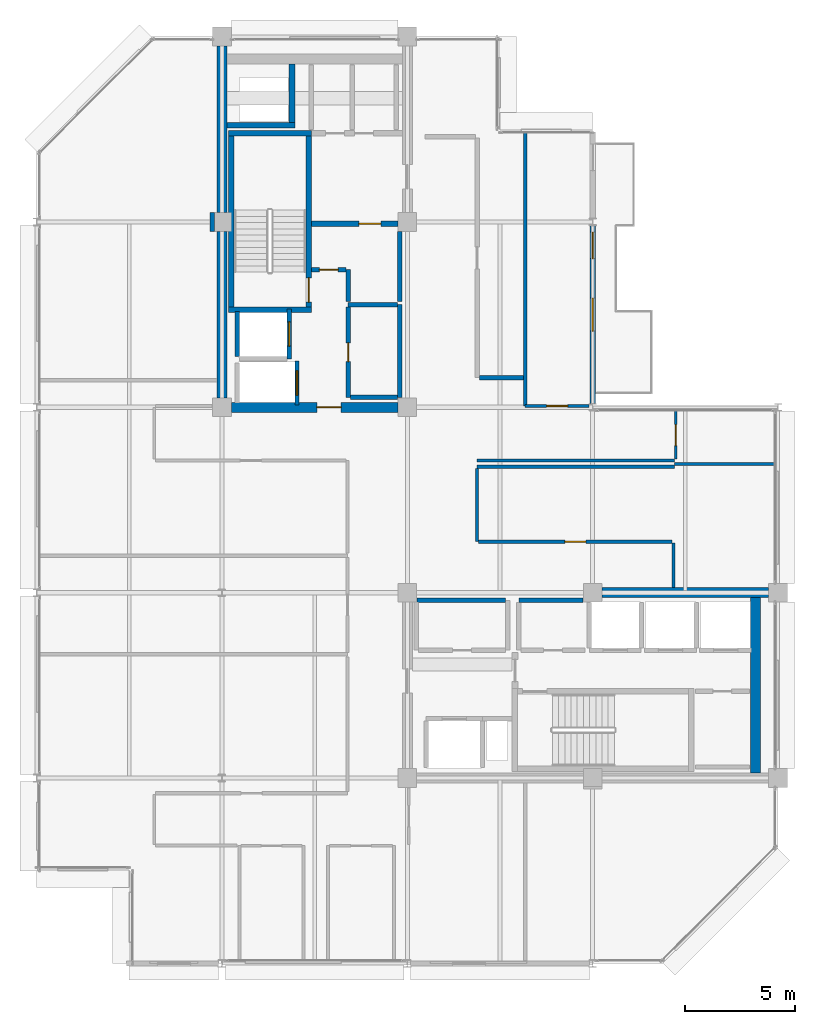
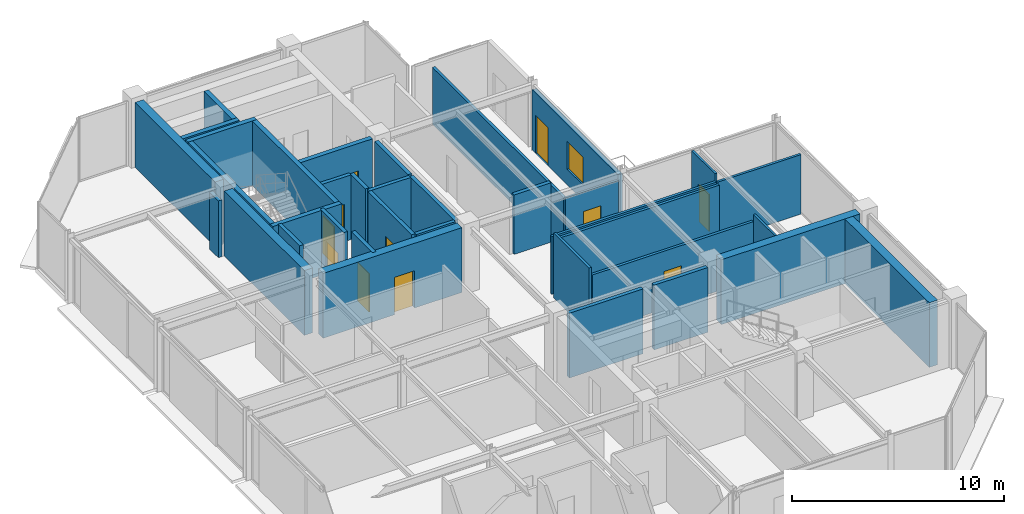
# One storey, part 21 of 25: 36 walls, 11 doors, 1 window, 12 openings.
"""IFC4 building model written with IfcOpenShell, lengths in metres."""

from ifc_helpers import new_model, si_unit, direction, frame, frame_2d, origin, place, context, subcontext, project, spatial, rectangle, extrude, material, layer, layer_set, type_object, element, fill, save


model = new_model("IFC4")

# Units and contexts
model_context = context("Model", 3, precision=1e-05, world=origin(), true_north=direction((0.0, 1.0)))
body_context = subcontext(model_context, "Body", "Model", "MODEL_VIEW")
ifc_project = project(units=[si_unit("LENGTHUNIT", "METRE"), si_unit("AREAUNIT", "SQUARE_METRE"), si_unit("VOLUMEUNIT", "CUBIC_METRE"), si_unit("PLANEANGLEUNIT", "RADIAN"), si_unit("MASSUNIT", "GRAM", prefix="KILO")], contexts=[model_context])

# Site, building, storey
site_placement = place(None, origin())
site = spatial("IfcSite", under=ifc_project, at=site_placement, CompositionType="ELEMENT")
building_placement = place(site_placement, origin())
building = spatial("IfcBuilding", under=site, at=building_placement, Name="Nerrivon Quay Data Exchange", CompositionType="ELEMENT")
storey_placement = place(building_placement, frame((0.0, 0.0, 290.199951171875)))
storey = spatial("IfcBuildingStorey", under=building, at=storey_placement, Name="L69", CompositionType="ELEMENT", Elevation=290.199951171875)

# Wall, openings, door, window
ifc_material_1 = material(Name="Architectural terracotta precast concrete N50 (50 MPa)", Category="masonry")
ifc_layer_1 = layer(ifc_material_1, 0.239990234375)
ifc_layer_set_1 = layer_set([ifc_layer_1], Name="Architectural terracotta precast concrete N50 (50 MPa)")
wall_type_1 = type_object("IfcWallType", Name="EW-PREC-240", PredefinedType="STANDARD", material=ifc_layer_set_1)
wall_1_placement = place(storey_placement, frame((25.199951171875, 33.4365234375, 0.0), z_axis=(0.0, 0.0, 1.0), x_axis=(0.0, -1.0, 0.0)))
wall_1 = element("IfcWall", 1, at=wall_1_placement, inside=storey, type_object=wall_type_1, Name="L69 Terrace Host Wall 20", PredefinedType="STANDARD", context=body_context, shape_type="SweptSolid", body=[
    extrude(rectangle(XDim=8.072998046875, YDim=0.239990234375, at=frame_2d((4.03662109375, 0.0))), origin(), (0.0, 0.0, 1.0), 3.47509765625),
])
opening_1_placement = place(wall_1_placement, frame((0.300048828125, 0.0, 0.0)))
opening_1 = element("IfcOpeningElement", 2, at=opening_1_placement, cuts=wall_1, Name="Opening TD1", PredefinedType="OPENING", context=body_context, shape_type="SweptSolid", body=[
    extrude(rectangle(XDim=1.199951171875, YDim=2.199951171875, at=frame_2d((0.60009765625, 1.10009765625))), frame((0.0, 0.1298828125, 0.0), z_axis=(0.0, -1.0, 0.0), x_axis=(1.0, 0.0, 0.0)), (0.0, 0.0, 1.0), 0.260009765625),
])
opening_2_placement = place(wall_1_placement, frame((3.28662109375, 0.0, 0.89990234375)))
opening_2 = element("IfcOpeningElement", 3, at=opening_2_placement, cuts=wall_1, Name="Opening WN4", PredefinedType="OPENING", context=body_context, shape_type="SweptSolid", body=[
    extrude(rectangle(XDim=1.5, YDim=1.60009765625, at=frame_2d((0.75, 0.800048828125))), frame((0.0, 0.1298828125, 0.0), z_axis=(0.0, -1.0, 0.0), x_axis=(1.0, 0.0, 0.0)), (0.0, 0.0, 1.0), 0.260009765625),
])
ifc_material_2 = material(Name="Double-glazed low-E solar control glass", Category="glass")
door_type_1 = type_object("IfcDoorType", Name="DR-TERR-1200x2200", OperationType="NOTDEFINED", PredefinedType="DOOR", material=ifc_material_2)
door_1_placement = place(opening_1_placement, origin())
door_1 = element("IfcDoor", 4, at=door_1_placement, inside=storey, type_object=door_type_1, Name="L69 Outdoor Terrace Access Door 20", OperationType="SINGLE_SWING_LEFT", OverallHeight=2.199951171875, OverallWidth=1.199951171875, PredefinedType="DOOR", context=body_context, shape_type="SweptSolid", body=[
    extrude(rectangle(XDim=1.199951171875, YDim=2.199951171875, at=frame_2d((0.60009765625, 1.10009765625))), frame((0.0, 0.02490234375, 0.0), z_axis=(0.0, -1.0, 0.0), x_axis=(1.0, 0.0, 0.0)), (0.0, 0.0, 1.0), 0.050048828125),
])
fill(opening_1, door_1)
window_type = type_object("IfcWindowType", Name="WIN-W4-1500x1600", PartitioningType="SINGLE_PANEL", PredefinedType="WINDOW", material=ifc_material_2)
window_placement = place(opening_2_placement, origin())
window = element("IfcWindow", 5, at=window_placement, inside=storey, type_object=window_type, Name="L69 Terrace Side Window 20", OverallHeight=1.60009765625, OverallWidth=1.5, PartitioningType="SINGLE_PANEL", PredefinedType="WINDOW", context=body_context, shape_type="SweptSolid", body=[
    extrude(rectangle(XDim=1.5, YDim=1.60009765625, at=frame_2d((0.75, 0.800048828125))), frame((0.0, 0.030029296875, 0.0), z_axis=(0.0, -1.0, 0.0), x_axis=(1.0, 0.0, 0.0)), (0.0, 0.0, 1.0), 0.06005859375),
])
fill(opening_2, window)

# Walls
ifc_material_3 = material(Name="Concrete N50 (50 MPa)", Category="concrete")
ifc_layer_2 = layer(ifc_material_3, 0.449951171875)
ifc_layer_set_2 = layer_set([ifc_layer_2], Name="Concrete N50 (50 MPa)")
wall_type_2 = type_object("IfcWallType", Name="WALL-CW-550", PredefinedType="SHEAR", material=ifc_layer_set_2)
for number, where, z_axis, x_axis, name in (
    (6, (8.39990234375, 25.625, 0.0), (0.0, 0.0, 1.0), (0.0, 1.0, 0.0), "L69 West Split-Core Shear Wall WCW-W1"),
    (7, (8.39990234375, 34.02490234375, 0.0), (0.0, 0.0, 1.0), (0.0, 1.0, 0.0), "L69 West Split-Core Shear Wall WCW-W2"),
):
    element("IfcWall", number, at=place(storey_placement, frame(where, z_axis=z_axis, x_axis=x_axis)), inside=storey, type_object=wall_type_2, Name=name, PredefinedType="SHEAR", context=body_context, shape_type="SweptSolid", body=[
        extrude(rectangle(XDim=7.550048828125, YDim=0.449951171875, at=frame_2d((3.77490234375, 0.0))), origin(), (0.0, 0.0, 1.0), 3.72509765625),
    ])

# Wall, opening, door
wall_2_placement = place(storey_placement, frame((8.824951171875, 25.199951171875, 0.0), z_axis=(0.0, 0.0, 1.0), x_axis=(1.0, 0.0, 0.0)))
wall_2 = element("IfcWall", 8, at=wall_2_placement, inside=storey, type_object=wall_type_2, Name="L69 West Split-Core Shear Wall WCW-S1", PredefinedType="SHEAR", context=body_context, shape_type="SweptSolid", body=[
    extrude(rectangle(XDim=7.550048828125, YDim=0.449951171875, at=frame_2d((3.77490234375, 0.0))), origin(), (0.0, 0.0, 1.0), 3.72509765625),
])
opening_3_placement = place(wall_2_placement, frame((3.875, 0.0, 0.0)))
opening_3 = element("IfcOpeningElement", 9, at=opening_3_placement, cuts=wall_2, Name="Opening FD-120", PredefinedType="OPENING", context=body_context, shape_type="SweptSolid", body=[
    extrude(rectangle(XDim=1.10009765625, YDim=2.14990234375, at=frame_2d((0.550048828125, 1.074951171875))), frame((0.0, 0.23486328125, 0.0), z_axis=(0.0, -1.0, 0.0), x_axis=(1.0, 0.0, 0.0)), (0.0, 0.0, 1.0), 0.469970703125),
])
ifc_material_4 = material(Name="Powder-coated galvanized steel sheet", Category="steel")
door_type_2 = type_object("IfcDoorType", Name="DR-FD120-1100", OperationType="NOTDEFINED", PredefinedType="DOOR", material=ifc_material_4)
door_2_placement = place(opening_3_placement, origin())
door_2 = element("IfcDoor", 10, at=door_2_placement, inside=storey, type_object=door_type_2, Name="L69 West Core Lobby Fire Door", OperationType="SINGLE_SWING_LEFT", OverallHeight=2.14990234375, OverallWidth=1.10009765625, PredefinedType="DOOR", context=body_context, shape_type="SweptSolid", body=[
    extrude(rectangle(XDim=1.10009765625, YDim=2.14990234375, at=frame_2d((0.550048828125, 1.074951171875))), frame((0.0, 0.02490234375, 0.0), z_axis=(0.0, -1.0, 0.0), x_axis=(1.0, 0.0, 0.0)), (0.0, 0.0, 1.0), 0.050048828125),
])
fill(opening_3, door_2)

# Walls
wall_3_placement = place(storey_placement, frame((32.574951171875, 8.625, 0.0), z_axis=(0.0, 0.0, 1.0), x_axis=(0.0, 1.0, 0.0)))
element("IfcWall", 11, at=wall_3_placement, inside=storey, type_object=wall_type_2, Name="L69 East Split-Core Shear Wall ECW-E1", PredefinedType="SHEAR", context=body_context, shape_type="SweptSolid", body=[
    extrude(rectangle(XDim=7.949951171875, YDim=0.449951171875, at=frame_2d((3.97509765625, 0.0))), origin(), (0.0, 0.0, 1.0), 3.72509765625),
])
wall_4_placement = place(storey_placement, frame((25.625, 16.800048828125, 0.0), z_axis=(0.0, 0.0, 1.0), x_axis=(1.0, 0.0, 0.0)))
element("IfcWall", 12, at=wall_4_placement, inside=storey, type_object=wall_type_2, Name="L69 East Split-Core Shear Wall ECW-N1", PredefinedType="SHEAR", context=body_context, shape_type="SweptSolid", body=[
    extrude(rectangle(XDim=7.550048828125, YDim=0.449951171875, at=frame_2d((3.77490234375, 0.0))), origin(), (0.0, 0.0, 1.0), 3.72509765625),
])

# Wall, opening, door
ifc_material_5 = material(Name="Gypsum plasterboard on cold-formed framing", Category="gypsum")
ifc_layer_3 = layer(ifc_material_5, 0.199951171875)
ifc_layer_set_3 = layer_set([ifc_layer_3], Name="Gypsum plasterboard on cold-formed framing")
wall_type_3 = type_object("IfcWallType", Name="WALL-FW-200", PredefinedType="PARTITIONING", material=ifc_layer_set_3)
wall_5_placement = place(storey_placement, frame((11.449951171875, 27.39990234375, 0.0), z_axis=(0.0, 0.0, 1.0), x_axis=(0.0, 1.0, 0.0)))
wall_5 = element("IfcWall", 13, at=wall_5_placement, inside=storey, type_object=wall_type_3, Name="L69 Lift Front Wall FFL-1", PredefinedType="PARTITIONING", context=body_context, shape_type="SweptSolid", body=[
    extrude(rectangle(XDim=2.25, YDim=0.199951171875, at=frame_2d((1.125, 0.0))), origin(), (0.0, 0.0, 1.0), 3.72509765625),
])
opening_4_placement = place(wall_5_placement, frame((0.574951171875, 0.0, 0.0)))
opening_4 = element("IfcOpeningElement", 14, at=opening_4_placement, cuts=wall_5, Name="Opening LD-120", PredefinedType="OPENING", context=body_context, shape_type="SweptSolid", body=[
    extrude(rectangle(XDim=1.10009765625, YDim=2.199951171875, at=frame_2d((0.550048828125, 1.10009765625))), frame((0.0, 0.10986328125, 0.0), z_axis=(0.0, -1.0, 0.0), x_axis=(1.0, 0.0, 0.0)), (0.0, 0.0, 1.0), 0.219970703125),
])
door_type_3 = type_object("IfcDoorType", Name="DR-LIFT-LD120", OperationType="DOUBLE_DOOR_SLIDING", PredefinedType="DOOR", material=ifc_material_4)
door_3_placement = place(opening_4_placement, origin())
door_3 = element("IfcDoor", 15, at=door_3_placement, inside=storey, type_object=door_type_3, Name="L69 Lift Landing Sliding Door FFL-1", OperationType="DOUBLE_DOOR_SLIDING", OverallHeight=2.199951171875, OverallWidth=1.10009765625, PredefinedType="DOOR", context=body_context, shape_type="SweptSolid", body=[
    extrude(rectangle(XDim=1.10009765625, YDim=2.199951171875, at=frame_2d((0.550048828125, 1.10009765625))), frame((0.0, 0.02490234375, 0.0), z_axis=(0.0, -1.0, 0.0), x_axis=(1.0, 0.0, 0.0)), (0.0, 0.0, 1.0), 0.050048828125),
])
fill(opening_4, door_3)

# Wall
wall_6_placement = place(storey_placement, frame((9.10009765625, 27.5, 0.0), z_axis=(0.0, 0.0, 1.0), x_axis=(0.0, 1.0, 0.0)))
element("IfcWall", 16, at=wall_6_placement, inside=storey, type_object=wall_type_3, Name="L69 Lift Shaft Wall FFL-1 WEST", PredefinedType="PARTITIONING", context=body_context, shape_type="SweptSolid", body=[
    extrude(rectangle(XDim=2.050048828125, YDim=0.199951171875, at=frame_2d((1.02490234375, 0.0))), origin(), (0.0, 0.0, 1.0), 3.72509765625),
])

# Wall, opening, door
wall_7_placement = place(storey_placement, frame((11.800048828125, 25.300048828125, 0.0), z_axis=(0.0, 0.0, 1.0), x_axis=(0.0, 1.0, 0.0)))
wall_7 = element("IfcWall", 17, at=wall_7_placement, inside=storey, type_object=wall_type_3, Name="L69 Lift Front Wall SVL-1", PredefinedType="PARTITIONING", context=body_context, shape_type="SweptSolid", body=[
    extrude(rectangle(XDim=2.0, YDim=0.199951171875, at=frame_2d((1.0, 0.0))), origin(), (0.0, 0.0, 1.0), 3.72509765625),
])
opening_5_placement = place(wall_7_placement, frame((0.449951171875, 0.0, 0.0)))
opening_5 = element("IfcOpeningElement", 18, at=opening_5_placement, cuts=wall_7, Name="Opening LD-120", PredefinedType="OPENING", context=body_context, shape_type="SweptSolid", body=[
    extrude(rectangle(XDim=1.10009765625, YDim=2.199951171875, at=frame_2d((0.550048828125, 1.10009765625))), frame((0.0, 0.10986328125, 0.0), z_axis=(0.0, -1.0, 0.0), x_axis=(1.0, 0.0, 0.0)), (0.0, 0.0, 1.0), 0.219970703125),
])
door_4_placement = place(opening_5_placement, origin())
door_4 = element("IfcDoor", 19, at=door_4_placement, inside=storey, type_object=door_type_3, Name="L69 Lift Landing Sliding Door SVL-1", OperationType="DOUBLE_DOOR_SLIDING", OverallHeight=2.199951171875, OverallWidth=1.10009765625, PredefinedType="DOOR", context=body_context, shape_type="SweptSolid", body=[
    extrude(rectangle(XDim=1.10009765625, YDim=2.199951171875, at=frame_2d((0.550048828125, 1.10009765625))), frame((0.0, 0.02490234375, 0.0), z_axis=(0.0, -1.0, 0.0), x_axis=(1.0, 0.0, 0.0)), (0.0, 0.0, 1.0), 0.050048828125),
])
fill(opening_5, door_4)

# Walls
wall_8_placement = place(storey_placement, frame((16.449951171875, 25.64990234375, 0.0), z_axis=(0.0, 0.0, 1.0), x_axis=(0.0, 1.0, 0.0)))
element("IfcWall", 20, at=wall_8_placement, inside=storey, type_object=wall_type_3, Name="L69 Partition Telemetry Hub Closet", PredefinedType="PARTITIONING", context=body_context, shape_type="SweptSolid", body=[
    extrude(rectangle(XDim=4.2001953125, YDim=0.199951171875, at=frame_2d((2.10009765625, 0.0))), origin(), (0.0, 0.0, 1.0), 3.72509765625),
])
wall_9_placement = place(storey_placement, frame((16.345947265625, 29.85009765625, 0.0), z_axis=(0.0, 0.0, 1.0), x_axis=(-1.0, 0.0, 0.0)))
element("IfcWall", 21, at=wall_9_placement, inside=storey, type_object=wall_type_3, Name="L69 Partition Telemetry Hub Closet", PredefinedType="PARTITIONING", context=body_context, shape_type="SweptSolid", body=[
    extrude(rectangle(XDim=2.225830078125, YDim=0.199951171875, at=frame_2d((1.11279296875, 0.0))), origin(), (0.0, 0.0, 1.0), 3.72509765625),
])

# Wall, opening, door
wall_10_placement = place(storey_placement, frame((14.1201171875, 29.74609375, 0.0), z_axis=(0.0, 0.0, 1.0), x_axis=(0.0, -1.0, 0.0)))
wall_10 = element("IfcWall", 22, at=wall_10_placement, inside=storey, type_object=wall_type_3, Name="L69 Partition Telemetry Hub Closet", PredefinedType="PARTITIONING", context=body_context, shape_type="SweptSolid", body=[
    extrude(rectangle(XDim=4.09619140625, YDim=0.199951171875, at=frame_2d((2.048095703125, 0.0))), origin(), (0.0, 0.0, 1.0), 3.72509765625),
])
opening_6_placement = place(wall_10_placement, frame((1.623046875, 0.0, 0.0)))
opening_6 = element("IfcOpeningElement", 23, at=opening_6_placement, cuts=wall_10, Name="Opening FD-60S", PredefinedType="OPENING", context=body_context, shape_type="SweptSolid", body=[
    extrude(rectangle(XDim=0.85009765625, YDim=2.14990234375, at=frame_2d((0.425048828125, 1.074951171875))), frame((0.0, 0.10986328125, 0.0), z_axis=(0.0, -1.0, 0.0), x_axis=(1.0, 0.0, 0.0)), (0.0, 0.0, 1.0), 0.219970703125),
])
ifc_material_6 = material(Name="Engineered hardwood timber", Category="wood")
door_type_4 = type_object("IfcDoorType", Name="DR-FD60-850", OperationType="NOTDEFINED", PredefinedType="DOOR", material=ifc_material_6)
door_5_placement = place(opening_6_placement, origin())
door_5 = element("IfcDoor", 24, at=door_5_placement, inside=storey, type_object=door_type_4, Name="L69 Door Telemetry Hub Closet", OperationType="SINGLE_SWING_LEFT", OverallHeight=2.14990234375, OverallWidth=0.85009765625, PredefinedType="DOOR", context=body_context, shape_type="SweptSolid", body=[
    extrude(rectangle(XDim=0.85009765625, YDim=2.14990234375, at=frame_2d((0.425048828125, 1.074951171875))), frame((0.0, 0.02490234375, 0.0), z_axis=(0.0, -1.0, 0.0), x_axis=(1.0, 0.0, 0.0)), (0.0, 0.0, 1.0), 0.050048828125),
])
fill(opening_6, door_5)

# Walls
wall_11_placement = place(storey_placement, frame((14.22412109375, 25.64990234375, 0.0), z_axis=(0.0, 0.0, 1.0), x_axis=(1.0, 0.0, 0.0)))
element("IfcWall", 25, at=wall_11_placement, inside=storey, type_object=wall_type_3, Name="L69 Partition Telemetry Hub Closet", PredefinedType="PARTITIONING", context=body_context, shape_type="SweptSolid", body=[
    extrude(rectangle(XDim=2.121826171875, YDim=0.199951171875, at=frame_2d((1.06103515625, 0.0))), origin(), (0.0, 0.0, 1.0), 3.72509765625),
])
wall_12_placement = place(storey_placement, frame((14.1201171875, 31.43994140625, 0.0), z_axis=(0.0, 0.0, 1.0), x_axis=(0.0, -1.0, 0.0)))
element("IfcWall", 26, at=wall_12_placement, inside=storey, type_object=wall_type_3, Name="L69 Partition Core Equipment Store", PredefinedType="PARTITIONING", context=body_context, shape_type="SweptSolid", body=[
    extrude(rectangle(XDim=1.43994140625, YDim=0.199951171875, at=frame_2d((0.719970703125, 0.0))), origin(), (0.0, 0.0, 1.0), 3.72509765625),
])
wall_13_placement = place(storey_placement, frame((16.449951171875, 30.0, 0.0), z_axis=(0.0, 0.0, 1.0), x_axis=(0.0, 1.0, 0.0)))
element("IfcWall", 27, at=wall_13_placement, inside=storey, type_object=wall_type_3, Name="L69 Partition Core Equipment Store", PredefinedType="PARTITIONING", context=body_context, shape_type="SweptSolid", body=[
    extrude(rectangle(XDim=3.169921875, YDim=0.199951171875, at=frame_2d((1.5849609375, 0.0))), origin(), (0.0, 0.0, 1.0), 3.72509765625),
])

# Wall, opening, door
wall_14_placement = place(storey_placement, frame((12.4541015625, 31.43994140625, 0.0), z_axis=(0.0, 0.0, 1.0), x_axis=(1.0, 0.0, 0.0)))
wall_14 = element("IfcWall", 28, at=wall_14_placement, inside=storey, type_object=wall_type_3, Name="L69 Partition Core Equipment Store", PredefinedType="PARTITIONING", context=body_context, shape_type="SweptSolid", body=[
    extrude(rectangle(XDim=1.56201171875, YDim=0.199951171875, at=frame_2d((0.781005859375, 0.0))), origin(), (0.0, 0.0, 1.0), 3.72509765625),
])
opening_7_placement = place(wall_14_placement, frame((0.35595703125, 0.0, 0.0)))
opening_7 = element("IfcOpeningElement", 29, at=opening_7_placement, cuts=wall_14, Name="Opening FD-60S", PredefinedType="OPENING", context=body_context, shape_type="SweptSolid", body=[
    extrude(rectangle(XDim=0.85009765625, YDim=2.14990234375, at=frame_2d((0.425048828125, 1.074951171875))), frame((0.0, 0.10986328125, 0.0), z_axis=(0.0, -1.0, 0.0), x_axis=(1.0, 0.0, 0.0)), (0.0, 0.0, 1.0), 0.219970703125),
])
door_6_placement = place(opening_7_placement, origin())
door_6 = element("IfcDoor", 30, at=door_6_placement, inside=storey, type_object=door_type_4, Name="L69 Door Core Equipment Store", OperationType="SINGLE_SWING_RIGHT", OverallHeight=2.14990234375, OverallWidth=0.85009765625, PredefinedType="DOOR", context=body_context, shape_type="SweptSolid", body=[
    extrude(rectangle(XDim=0.85009765625, YDim=2.14990234375, at=frame_2d((0.425048828125, 1.074951171875))), frame((0.0, 0.02490234375, 0.0), z_axis=(0.0, -1.0, 0.0), x_axis=(1.0, 0.0, 0.0)), (0.0, 0.0, 1.0), 0.050048828125),
])
fill(opening_7, door_6)

# Walls
wall_15_placement = place(storey_placement, frame((21.24609375, 16.449951171875, 0.0), z_axis=(0.0, 0.0, 1.0), x_axis=(-1.0, 0.0, 0.0)))
element("IfcWall", 31, at=wall_15_placement, inside=storey, type_object=wall_type_3, Name="L69 Partition High-Zone Optical Closet", PredefinedType="PARTITIONING", context=body_context, shape_type="SweptSolid", body=[
    extrude(rectangle(XDim=4.01611328125, YDim=0.199951171875, at=frame_2d((2.008056640625, 0.0))), origin(), (0.0, 0.0, 1.0), 3.72509765625),
])
wall_16_placement = place(storey_placement, frame((24.77001953125, 16.449951171875, 0.0), z_axis=(0.0, 0.0, 1.0), x_axis=(-1.0, 0.0, 0.0)))
element("IfcWall", 32, at=wall_16_placement, inside=storey, type_object=wall_type_3, Name="L69 Partition High-Zone Supply Store", PredefinedType="PARTITIONING", context=body_context, shape_type="SweptSolid", body=[
    extrude(rectangle(XDim=2.919921875, YDim=0.199951171875, at=frame_2d((1.4599609375, 0.0))), origin(), (0.0, 0.0, 1.0), 3.72509765625),
])
wall_17_placement = place(storey_placement, frame((20.06396484375, 26.544921875, 0.0), z_axis=(0.0, 0.0, 1.0), x_axis=(1.0, 0.0, 0.0)))
element("IfcWall", 33, at=wall_17_placement, inside=storey, type_object=wall_type_3, Name="L69 Partition Colocation Data Workspace 1", PredefinedType="PARTITIONING", context=body_context, shape_type="SweptSolid", body=[
    extrude(rectangle(XDim=2.0009765625, YDim=0.199951171875, at=frame_2d((1.00048828125, 0.0))), origin(), (0.0, 0.0, 1.0), 3.421142578125),
])
wall_18_placement = place(storey_placement, frame((7.955810546875, 33.169189453125, 0.0), z_axis=(0.0, 0.0, 1.0), x_axis=(-0.000855919801, 0.999999633701, 0.0)))
element("IfcWall", 34, at=wall_18_placement, inside=storey, type_object=wall_type_3, Name="L69 Partition Colocation Data Workspace 1", PredefinedType="PARTITIONING", context=body_context, shape_type="SweptSolid", body=[
    extrude(rectangle(XDim=0.855712890625, YDim=0.199951171875, at=frame_2d((0.427734375, 0.0))), origin(), (0.0, 0.0, 1.0), 3.27099609375),
])

# Wall, opening, door
ifc_layer_4 = layer(ifc_material_5, 0.1201171875)
ifc_layer_set_4 = layer_set([ifc_layer_4], Name="Gypsum plasterboard on cold-formed framing")
wall_type_4 = type_object("IfcWallType", Name="WALL-PT-120", PredefinedType="PARTITIONING", material=ifc_layer_set_4)
wall_19_placement = place(storey_placement, frame((28.9599609375, 25.031005859375, 0.0), z_axis=(0.0, 0.0, 1.0), x_axis=(0.0, -1.0, 0.0)))
wall_19 = element("IfcWall", 35, at=wall_19_placement, inside=storey, type_object=wall_type_4, Name="L69 Partition Shared Breakout Kitchenette", PredefinedType="PARTITIONING", context=body_context, shape_type="SweptSolid", body=[
    extrude(rectangle(XDim=2.180908203125, YDim=0.1201171875, at=frame_2d((1.09033203125, 0.0))), origin(), (0.0, 0.0, 1.0), 3.72509765625),
])
opening_8_placement = place(wall_19_placement, frame((0.615478515625, 0.0, 0.0)))
opening_8 = element("IfcOpeningElement", 36, at=opening_8_placement, cuts=wall_19, Name="Opening D-01", PredefinedType="OPENING", context=body_context, shape_type="SweptSolid", body=[
    extrude(rectangle(XDim=0.949951171875, YDim=2.14990234375, at=frame_2d((0.47509765625, 1.074951171875))), frame((0.0, 0.070068359375, 0.0), z_axis=(0.0, -1.0, 0.0), x_axis=(1.0, 0.0, 0.0)), (0.0, 0.0, 1.0), 0.14013671875),
])
door_type_5 = type_object("IfcDoorType", Name="DR-INT-950", OperationType="NOTDEFINED", PredefinedType="DOOR", material=ifc_material_6)
door_7_placement = place(opening_8_placement, origin())
door_7 = element("IfcDoor", 37, at=door_7_placement, inside=storey, type_object=door_type_5, Name="L69 Door Shared Breakout Kitchenette", OperationType="SINGLE_SWING_LEFT", OverallHeight=2.14990234375, OverallWidth=0.949951171875, PredefinedType="DOOR", context=body_context, shape_type="SweptSolid", body=[
    extrude(rectangle(XDim=0.949951171875, YDim=2.14990234375, at=frame_2d((0.47509765625, 1.074951171875))), frame((0.0, 0.02490234375, 0.0), z_axis=(0.0, -1.0, 0.0), x_axis=(1.0, 0.0, 0.0)), (0.0, 0.0, 1.0), 0.050048828125),
])
fill(opening_8, door_7)

wall_20_placement = place(storey_placement, frame((22.14404296875, 25.260009765625, 0.0), z_axis=(0.0, 0.0, 1.0), x_axis=(0.999999996408, -8.4760129e-05, 0.0)))
wall_20 = element("IfcWall", 38, at=wall_20_placement, inside=storey, type_object=wall_type_4, Name="L69 Partition Shared Breakout Kitchenette", PredefinedType="PARTITIONING", context=body_context, shape_type="SweptSolid", body=[
    extrude(rectangle(XDim=2.88037109375, YDim=0.1201171875, at=frame_2d((1.440185546875, 0.0))), origin(), (0.0, 0.0, 1.0), 3.27099609375),
])
opening_9_placement = place(wall_20_placement, frame((0.96533203125, 0.0, 0.0)))
opening_9 = element("IfcOpeningElement", 39, at=opening_9_placement, cuts=wall_20, Name="Opening D-01", PredefinedType="OPENING", context=body_context, shape_type="SweptSolid", body=[
    extrude(rectangle(XDim=0.949951171875, YDim=2.14990234375, at=frame_2d((0.47509765625, 1.074951171875))), frame((0.0, 0.070068359375, 0.0), z_axis=(0.0, -1.0, 0.0), x_axis=(1.0, 0.0, 0.0)), (0.0, 0.0, 1.0), 0.14013671875),
])
door_8_placement = place(opening_9_placement, origin())
door_8 = element("IfcDoor", 40, at=door_8_placement, inside=storey, type_object=door_type_5, Name="L69 Door Shared Breakout Kitchenette", OperationType="SINGLE_SWING_RIGHT", OverallHeight=2.14990234375, OverallWidth=0.949951171875, PredefinedType="DOOR", context=body_context, shape_type="SweptSolid", body=[
    extrude(rectangle(XDim=0.949951171875, YDim=2.14990234375, at=frame_2d((0.47509765625, 1.074951171875))), frame((0.0, 0.02490234375, 0.0), z_axis=(0.0, -1.0, 0.0), x_axis=(1.0, 0.0, 0.0)), (0.0, 0.0, 1.0), 0.050048828125),
])
fill(opening_9, door_8)

# Walls
wall_21_placement = place(storey_placement, frame((28.860107421875, 19.050048828125, 0.0), z_axis=(0.0, 0.0, 1.0), x_axis=(0.0, -1.0, 0.0)))
element("IfcWall", 41, at=wall_21_placement, inside=storey, type_object=wall_type_4, Name="L69 Partition Technical Library", PredefinedType="PARTITIONING", context=body_context, shape_type="SweptSolid", body=[
    extrude(rectangle(XDim=2.02099609375, YDim=0.1201171875, at=frame_2d((1.010498046875, 0.0))), origin(), (0.0, 0.0, 1.0), 3.72509765625),
])
ifc_layer_5 = layer(ifc_material_5, 0.135009765625)
ifc_layer_set_5 = layer_set([ifc_layer_5], Name="Gypsum plasterboard on cold-formed framing")
wall_type_5 = type_object("IfcWallType", Name="WALL-PT-135", PredefinedType="PARTITIONING", material=ifc_layer_set_5)
wall_22_placement = place(storey_placement, frame((28.89990234375, 22.625732421875, 0.0), z_axis=(0.0, 0.0, 1.0), x_axis=(1.0, 0.0, 0.0)))
element("IfcWall", 42, at=wall_22_placement, inside=storey, type_object=wall_type_5, Name="L69 Partition Shared Breakout Kitchenette", PredefinedType="PARTITIONING", context=body_context, shape_type="SweptSolid", body=[
    extrude(rectangle(XDim=4.531005859375, YDim=0.135009765625, at=frame_2d((2.265625, 0.0))), origin(), (0.0, 0.0, 1.0), 3.421142578125),
])
wall_23_placement = place(storey_placement, frame((19.9599609375, 22.4267578125, 0.0), z_axis=(0.0, 0.0, 1.0), x_axis=(0.0, -1.0, 0.0)))
element("IfcWall", 43, at=wall_23_placement, inside=storey, type_object=wall_type_5, Name="L69 Partition Technical Library", PredefinedType="PARTITIONING", context=body_context, shape_type="SweptSolid", body=[
    extrude(rectangle(XDim=3.316650390625, YDim=0.135009765625, at=frame_2d((1.658203125, 0.0))), origin(), (0.0, 0.0, 1.0), 3.72509765625),
])
ifc_layer_6 = layer(ifc_material_5, 0.14990234375)
ifc_layer_set_6 = layer_set([ifc_layer_6], Name="Gypsum plasterboard on cold-formed framing")
wall_type_6 = type_object("IfcWallType", Name="WALL-PT-150", PredefinedType="PARTITIONING", material=ifc_layer_set_6)
wall_24_placement = place(storey_placement, frame((28.89990234375, 22.7900390625, 0.0), z_axis=(0.0, 0.0, 1.0), x_axis=(-1.0, 0.0, 0.0)))
element("IfcWall", 44, at=wall_24_placement, inside=storey, type_object=wall_type_6, Name="L69 Partition Shared Breakout Kitchenette", PredefinedType="PARTITIONING", context=body_context, shape_type="SweptSolid", body=[
    extrude(rectangle(XDim=8.93994140625, YDim=0.14990234375, at=frame_2d((4.469970703125, 0.0))), origin(), (0.0, 0.0, 1.0), 3.319091796875),
])
wall_25_placement = place(storey_placement, frame((22.14404296875, 37.631103515625, 0.0), z_axis=(0.0, 0.0, 1.0), x_axis=(0.0, -1.0, 0.0)))
element("IfcWall", 45, at=wall_25_placement, inside=storey, type_object=wall_type_6, Name="L69 Partition Shared Breakout Kitchenette", PredefinedType="PARTITIONING", context=body_context, shape_type="SweptSolid", body=[
    extrude(rectangle(XDim=12.37109375, YDim=0.14990234375, at=frame_2d((6.185546875, 0.0))), origin(), (0.0, 0.0, 1.0), 3.27099609375),
])
wall_26_placement = place(storey_placement, frame((28.89990234375, 22.505615234375, 0.0), z_axis=(0.0, 0.0, 1.0), x_axis=(-1.0, 0.0, 0.0)))
element("IfcWall", 46, at=wall_26_placement, inside=storey, type_object=wall_type_6, Name="L69 Partition Technical Library", PredefinedType="PARTITIONING", context=body_context, shape_type="SweptSolid", body=[
    extrude(rectangle(XDim=8.93994140625, YDim=0.14990234375, at=frame_2d((4.469970703125, 0.0))), origin(), (0.0, 0.0, 1.0), 3.319091796875),
])

# Wall, opening, door
wall_27_placement = place(storey_placement, frame((20.031494140625, 19.110107421875, 0.0), z_axis=(0.0, 0.0, 1.0), x_axis=(1.0, 0.0, 0.0)))
wall_27 = element("IfcWall", 47, at=wall_27_placement, inside=storey, type_object=wall_type_6, Name="L69 Partition Technical Library", PredefinedType="PARTITIONING", context=body_context, shape_type="SweptSolid", body=[
    extrude(rectangle(XDim=8.7685546875, YDim=0.14990234375, at=frame_2d((4.38427734375, 0.0))), origin(), (0.0, 0.0, 1.0), 3.319091796875),
])
opening_10_placement = place(wall_27_placement, frame((3.9091796875, 0.0, 0.0)))
opening_10 = element("IfcOpeningElement", 48, at=opening_10_placement, cuts=wall_27, Name="Opening D-01", PredefinedType="OPENING", context=body_context, shape_type="SweptSolid", body=[
    extrude(rectangle(XDim=0.949951171875, YDim=2.14990234375, at=frame_2d((0.47509765625, 1.074951171875))), frame((0.0, 0.0849609375, 0.0), z_axis=(0.0, -1.0, 0.0), x_axis=(1.0, 0.0, 0.0)), (0.0, 0.0, 1.0), 0.169921875),
])
door_9_placement = place(opening_10_placement, origin())
door_9 = element("IfcDoor", 49, at=door_9_placement, inside=storey, type_object=door_type_5, Name="L69 Door Technical Library", OperationType="SINGLE_SWING_RIGHT", OverallHeight=2.14990234375, OverallWidth=0.949951171875, PredefinedType="DOOR", context=body_context, shape_type="SweptSolid", body=[
    extrude(rectangle(XDim=0.949951171875, YDim=2.14990234375, at=frame_2d((0.47509765625, 1.074951171875))), frame((0.0, 0.02490234375, 0.0), z_axis=(0.0, -1.0, 0.0), x_axis=(1.0, 0.0, 0.0)), (0.0, 0.0, 1.0), 0.050048828125),
])
fill(opening_10, door_9)

# Walls
ifc_layer_7 = layer(ifc_material_3, 0.25)
ifc_layer_set_7 = layer_set([ifc_layer_7], Name="Concrete N50 (50 MPa)")
wall_type_7 = type_object("IfcWallType", Name="WALL-SW-250", PredefinedType="SHEAR", material=ifc_layer_set_7)
for number, where, z_axis, x_axis, name in (
    (50, (12.449951171875, 29.625, 0.0), (0.0, 0.0, 1.0), (-1.0, 0.0, 0.0), "L69 ST01 Structural Stair Core Wall NEAR"),
    (51, (12.449951171875, 37.625, 0.0), (0.0, 0.0, 1.0), (-1.0, 0.0, 0.0), "L69 ST01 Structural Stair Core Wall FAR"),
):
    element("IfcWall", number, at=place(storey_placement, frame(where, z_axis=z_axis, x_axis=x_axis)), inside=storey, type_object=wall_type_7, Name=name, PredefinedType="SHEAR", context=body_context, shape_type="SweptSolid", body=[
        extrude(rectangle(XDim=3.75, YDim=0.25, at=frame_2d((1.875, 0.0))), origin(), (0.0, 0.0, 1.0), 3.72509765625),
    ])

# Wall, opening, door
wall_28_placement = place(storey_placement, frame((12.324951171875, 29.75, 0.0), z_axis=(0.0, 0.0, 1.0), x_axis=(0.0, 1.0, 0.0)))
wall_28 = element("IfcWall", 52, at=wall_28_placement, inside=storey, type_object=wall_type_7, Name="L69 ST01 Structural Stair Core Wall LEFT", PredefinedType="SHEAR", context=body_context, shape_type="SweptSolid", body=[
    extrude(rectangle(XDim=7.75, YDim=0.25, at=frame_2d((3.875, 0.0))), origin(), (0.0, 0.0, 1.0), 3.72509765625),
])
opening_11_placement = place(wall_28_placement, frame((0.219970703125, 0.0, 0.0)))
opening_11 = element("IfcOpeningElement", 53, at=opening_11_placement, cuts=wall_28, Name="Opening FD-120", PredefinedType="OPENING", context=body_context, shape_type="SweptSolid", body=[
    extrude(rectangle(XDim=1.10009765625, YDim=2.14990234375, at=frame_2d((0.550048828125, 1.074951171875))), frame((0.0, 0.135009765625, 0.0), z_axis=(0.0, -1.0, 0.0), x_axis=(1.0, 0.0, 0.0)), (0.0, 0.0, 1.0), 0.27001953125),
])
door_10_placement = place(opening_11_placement, origin())
door_10 = element("IfcDoor", 54, at=door_10_placement, inside=storey, type_object=door_type_2, Name="L69 Protected Stair Door ST01", OperationType="SINGLE_SWING_LEFT", OverallHeight=2.14990234375, OverallWidth=1.10009765625, PredefinedType="DOOR", context=body_context, shape_type="SweptSolid", body=[
    extrude(rectangle(XDim=1.10009765625, YDim=2.14990234375, at=frame_2d((0.550048828125, 1.074951171875))), frame((0.0, 0.02490234375, 0.0), z_axis=(0.0, -1.0, 0.0), x_axis=(1.0, 0.0, 0.0)), (0.0, 0.0, 1.0), 0.050048828125),
])
fill(opening_11, door_10)

# Walls
wall_29_placement = place(storey_placement, frame((8.824951171875, 29.75, 0.0), z_axis=(0.0, 0.0, 1.0), x_axis=(0.0, 1.0, 0.0)))
element("IfcWall", 55, at=wall_29_placement, inside=storey, type_object=wall_type_7, Name="L69 ST01 Structural Stair Core Wall RIGHT", PredefinedType="SHEAR", context=body_context, shape_type="SweptSolid", body=[
    extrude(rectangle(XDim=7.75, YDim=0.25, at=frame_2d((3.875, 0.0))), origin(), (0.0, 0.0, 1.0), 3.72509765625),
])
wall_30_placement = place(storey_placement, frame((8.625, 37.97509765625, 0.0), z_axis=(0.0, 0.0, 1.0), x_axis=(1.0, 0.0, 0.0)))
element("IfcWall", 56, at=wall_30_placement, inside=storey, type_object=wall_type_7, Name="L69 West Core MEP Riser Shaft Wall S", PredefinedType="SHEAR", context=body_context, shape_type="SweptSolid", body=[
    extrude(rectangle(XDim=3.074951171875, YDim=0.25, at=frame_2d((1.53759765625, 0.0))), origin(), (0.0, 0.0, 1.0), 3.72509765625),
])
wall_31_placement = place(storey_placement, frame((11.574951171875, 38.10009765625, 0.0), z_axis=(0.0, 0.0, 1.0), x_axis=(0.0, 1.0, 0.0)))
element("IfcWall", 57, at=wall_31_placement, inside=storey, type_object=wall_type_7, Name="L69 West Core MEP Riser Shaft Wall E", PredefinedType="SHEAR", context=body_context, shape_type="SweptSolid", body=[
    extrude(rectangle(XDim=2.64990234375, YDim=0.25, at=frame_2d((1.324951171875, 0.0))), origin(), (0.0, 0.0, 1.0), 3.72509765625),
])

# Wall, opening, door
wall_32_placement = place(storey_placement, frame((12.449951171875, 33.52001953125, 0.0), z_axis=(0.0, 0.0, 1.0), x_axis=(1.0, 0.0, 0.0)))
wall_32 = element("IfcWall", 58, at=wall_32_placement, inside=storey, type_object=wall_type_7, Name="L69 West Lobby Smoke-Stop Wall", PredefinedType="SHEAR", context=body_context, shape_type="SweptSolid", body=[
    extrude(rectangle(XDim=3.925048828125, YDim=0.25, at=frame_2d((1.96240234375, 0.0))), origin(), (0.0, 0.0, 1.0), 3.72509765625),
])
opening_12_placement = place(wall_32_placement, frame((2.14990234375, 0.0, 0.0)))
opening_12 = element("IfcOpeningElement", 59, at=opening_12_placement, cuts=wall_32, Name="Opening FD-60", PredefinedType="OPENING", context=body_context, shape_type="SweptSolid", body=[
    extrude(rectangle(XDim=1.0, YDim=2.14990234375, at=frame_2d((0.5, 1.074951171875))), frame((0.0, 0.135009765625, 0.0), z_axis=(0.0, -1.0, 0.0), x_axis=(1.0, 0.0, 0.0)), (0.0, 0.0, 1.0), 0.27001953125),
])
door_type_6 = type_object("IfcDoorType", Name="DR-FD60-1000", OperationType="NOTDEFINED", PredefinedType="DOOR", material=ifc_material_6)
door_11_placement = place(opening_12_placement, origin())
door_11 = element("IfcDoor", 60, at=door_11_placement, inside=storey, type_object=door_type_6, Name="L69 West Firefighting Lobby Fire Door", OperationType="SINGLE_SWING_LEFT", OverallHeight=2.14990234375, OverallWidth=1.0, PredefinedType="DOOR", context=body_context, shape_type="SweptSolid", body=[
    extrude(rectangle(XDim=1.0, YDim=2.14990234375, at=frame_2d((0.5, 1.074951171875))), frame((0.0, 0.02490234375, 0.0), z_axis=(0.0, -1.0, 0.0), x_axis=(1.0, 0.0, 0.0)), (0.0, 0.0, 1.0), 0.050048828125),
])
fill(opening_12, door_11)

save(model, "model.ifc")
